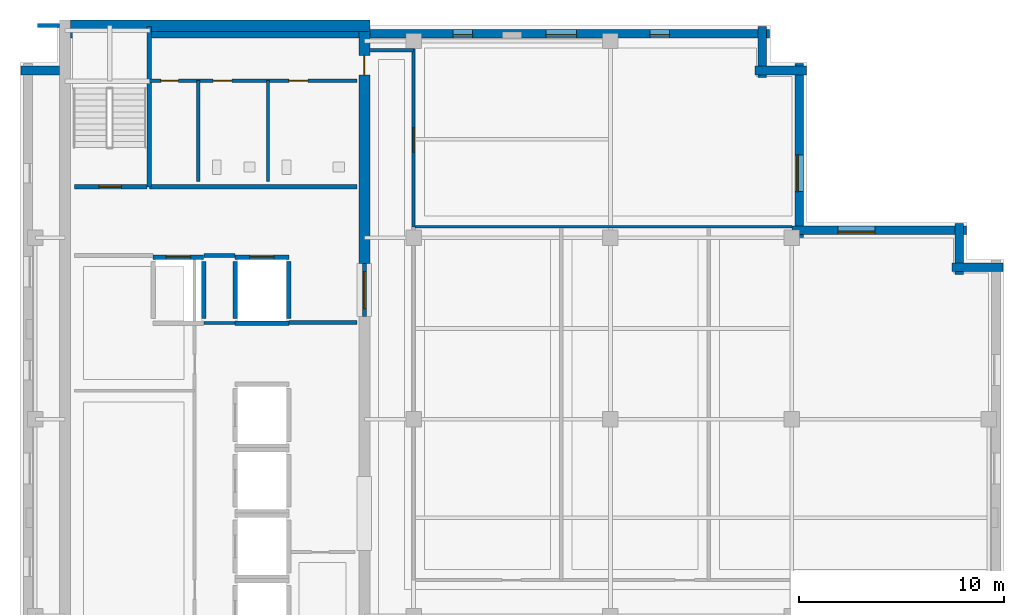
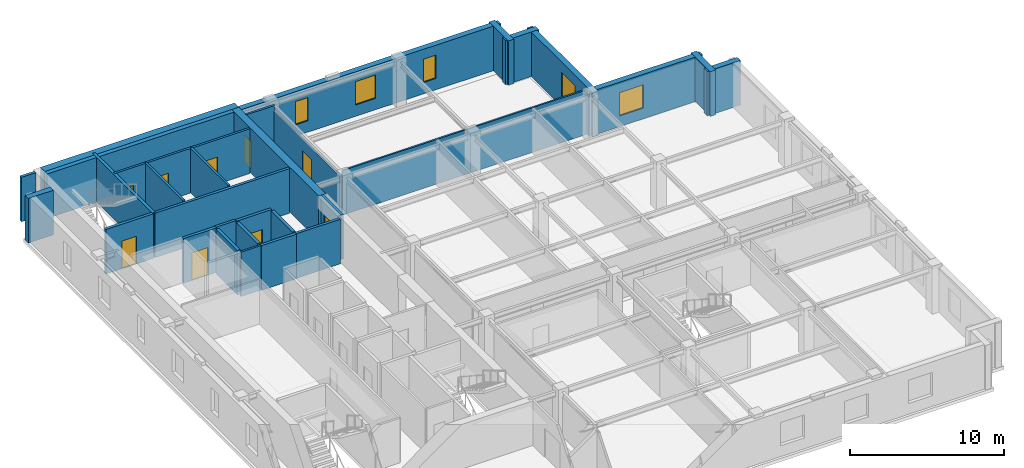
# One storey, part 5 of 10: 30 walls, 9 doors, 5 windows, 14 openings.
"""IFC4 building model written with IfcOpenShell, lengths in metres."""

from ifc_helpers import new_model, si_unit, direction, frame, frame_2d, origin, place, context, subcontext, project, spatial, rectangle, extrude, material, layer, layer_set, type_object, element, fill, save


model = new_model("IFC4")

# Units and contexts
model_context = context("Model", 3, precision=1e-05, world=origin(), true_north=direction((0.0, 1.0)))
body_context = subcontext(model_context, "Body", "Model", "MODEL_VIEW")
ifc_project = project(units=[si_unit("LENGTHUNIT", "METRE"), si_unit("AREAUNIT", "SQUARE_METRE"), si_unit("VOLUMEUNIT", "CUBIC_METRE"), si_unit("PLANEANGLEUNIT", "RADIAN"), si_unit("MASSUNIT", "GRAM", prefix="KILO")], contexts=[model_context])

# Site, building, storey
site_placement = place(None, origin())
site = spatial("IfcSite", under=ifc_project, at=site_placement, CompositionType="ELEMENT")
building_placement = place(site_placement, origin())
building = spatial("IfcBuilding", under=site, at=building_placement, Name="Norrvale University Quadrangle", CompositionType="ELEMENT")
storey_placement = place(building_placement, frame((0.0, 0.0, 269.60009765625)))
storey = spatial("IfcBuildingStorey", under=building, at=storey_placement, Name="L68", CompositionType="ELEMENT", Elevation=269.60009765625)

# Walls
ifc_material_1 = material(Name="Buff Norman Clay Brick Masonry", Category="masonry")
ifc_layer_1 = layer(ifc_material_1, 0.419921875, Name="Buff Norman Clay Brick Masonry")
ifc_layer_set_1 = layer_set([ifc_layer_1], Name="Buff Norman Clay Brick Masonry")
wall_type_1 = type_object("IfcWallType", Name="Wall Buff Brick 420", PredefinedType="SOLIDWALL", material=ifc_layer_set_1)
for number, where, z_axis, x_axis, name in (
    (1, (47.9599609375, 36.2099609375, 0.0), (0.0, 0.0, 1.0), (-1.0, 0.0, 0.0), "Exterior Brick Facade Wall L68-05.1"),
    (2, (45.81005859375, 35.860107421875, 0.0), (0.0, 0.0, 1.0), (0.0, 1.0, 0.0), "Exterior Brick Facade Wall L68-06.1"),
):
    element("IfcWall", number, at=place(storey_placement, frame(where, z_axis=z_axis, x_axis=x_axis)), inside=storey, type_object=wall_type_1, Name=name, PredefinedType="SOLIDWALL", context=body_context, shape_type="SweptSolid", body=[
        extrude(rectangle(XDim=2.5, YDim=0.419921875, at=frame_2d((1.25, 0.0))), origin(), (0.0, 0.0, 1.0), 3.539794921875),
    ])

# Wall, opening, window
wall_1_placement = place(storey_placement, frame((46.159912109375, 38.010009765625, 0.0), z_axis=(0.0, 0.0, 1.0), x_axis=(-1.0, 0.0, 0.0)))
wall_1 = element("IfcWall", 3, at=wall_1_placement, inside=storey, type_object=wall_type_1, Name="Exterior Brick Facade Wall L68-07.1", PredefinedType="SOLIDWALL", context=body_context, shape_type="SweptSolid", body=[
    extrude(rectangle(XDim=8.5, YDim=0.419921875, at=frame_2d((4.25, 0.0))), origin(), (0.0, 0.0, 1.0), 3.539794921875),
])
opening_1_placement = place(wall_1_placement, frame((4.4599609375, 0.0, 0.85009765625)))
opening_1 = element("IfcOpeningElement", 4, at=opening_1_placement, cuts=wall_1, Name="Opening W01", PredefinedType="OPENING", context=body_context, shape_type="SweptSolid", body=[
    extrude(rectangle(XDim=1.800048828125, YDim=1.85009765625, at=frame_2d((0.89990234375, 0.925048828125))), frame((0.0, 0.221923828125, 0.0), z_axis=(0.0, -1.0, 0.0), x_axis=(1.0, 0.0, 0.0)), (0.0, 0.0, 1.0), 0.44384765625),
])
ifc_material_2 = material(Name="Triple Low-E Argon Glazing", Category="glass")
window_type_1 = type_object("IfcWindowType", Name="Window Academic 1800x2300", PartitioningType="DOUBLE_PANEL_VERTICAL", PredefinedType="WINDOW", material=ifc_material_2)
window_1_placement = place(opening_1_placement, origin())
window_1 = element("IfcWindow", 5, at=window_1_placement, inside=storey, type_object=window_type_1, Name="Window Academic 1800x2300 WIN-L68-E07-1-01", OverallHeight=1.85009765625, OverallWidth=1.800048828125, PartitioningType="DOUBLE_PANEL_VERTICAL", PredefinedType="WINDOW", context=body_context, shape_type="SweptSolid", body=[
    extrude(rectangle(XDim=1.800048828125, YDim=1.85009765625, at=frame_2d((0.89990234375, 0.925048828125))), frame((0.0, 0.110107421875, 0.0), z_axis=(0.0, -1.0, 0.0), x_axis=(1.0, 0.0, 0.0)), (0.0, 0.0, 1.0), 0.06005859375),
])
fill(opening_1, window_1)

wall_2_placement = place(storey_placement, frame((38.010009765625, 37.659912109375, 0.0), z_axis=(0.0, 0.0, 1.0), x_axis=(0.0, 1.0, 0.0)))
wall_2 = element("IfcWall", 6, at=wall_2_placement, inside=storey, type_object=wall_type_1, Name="Exterior Brick Facade Wall L68-08.1", PredefinedType="SOLIDWALL", context=body_context, shape_type="SweptSolid", body=[
    extrude(rectangle(XDim=8.5, YDim=0.419921875, at=frame_2d((4.25, 0.0))), origin(), (0.0, 0.0, 1.0), 3.539794921875),
])
opening_2_placement = place(wall_2_placement, frame((2.239990234375, 0.0, 0.85009765625)))
opening_2 = element("IfcOpeningElement", 7, at=opening_2_placement, cuts=wall_2, Name="Opening W01", PredefinedType="OPENING", context=body_context, shape_type="SweptSolid", body=[
    extrude(rectangle(XDim=1.800048828125, YDim=1.85009765625, at=frame_2d((0.89990234375, 0.925048828125))), frame((0.0, 0.221923828125, 0.0), z_axis=(0.0, -1.0, 0.0), x_axis=(1.0, 0.0, 0.0)), (0.0, 0.0, 1.0), 0.44384765625),
])
window_2_placement = place(opening_2_placement, origin())
window_2 = element("IfcWindow", 8, at=window_2_placement, inside=storey, type_object=window_type_1, Name="Window Academic 1800x2300 WIN-L68-E08-1-01", OverallHeight=1.85009765625, OverallWidth=1.800048828125, PartitioningType="DOUBLE_PANEL_VERTICAL", PredefinedType="WINDOW", context=body_context, shape_type="SweptSolid", body=[
    extrude(rectangle(XDim=1.800048828125, YDim=1.85009765625, at=frame_2d((0.89990234375, 0.925048828125))), frame((0.0, 0.110107421875, 0.0), z_axis=(0.0, -1.0, 0.0), x_axis=(1.0, 0.0, 0.0)), (0.0, 0.0, 1.0), 0.06005859375),
])
fill(opening_2, window_2)

# Walls
for number, where, z_axis, x_axis, name in (
    (9, (38.360107421875, 45.81005859375, 0.0), (0.0, 0.0, 1.0), (-1.0, 0.0, 0.0), "Exterior Brick Facade Wall L68-09.1"),
    (10, (36.2099609375, 45.4599609375, 0.0), (0.0, 0.0, 1.0), (0.0, 1.0, 0.0), "Exterior Brick Facade Wall L68-10.1"),
):
    element("IfcWall", number, at=place(storey_placement, frame(where, z_axis=z_axis, x_axis=x_axis)), inside=storey, type_object=wall_type_1, Name=name, PredefinedType="SOLIDWALL", context=body_context, shape_type="SweptSolid", body=[
        extrude(rectangle(XDim=2.5, YDim=0.419921875, at=frame_2d((1.25, 0.0))), origin(), (0.0, 0.0, 1.0), 3.539794921875),
    ])

# Wall, openings, windows
wall_3_placement = place(storey_placement, frame((36.56005859375, 47.610107421875, 0.0), z_axis=(0.0, 0.0, 1.0), x_axis=(-1.0, 0.0, 0.0)))
wall_3 = element("IfcWall", 11, at=wall_3_placement, inside=storey, type_object=wall_type_1, Name="Exterior Brick Facade Wall L68-11.1", PredefinedType="SOLIDWALL", context=body_context, shape_type="SweptSolid", body=[
    extrude(rectangle(XDim=34.0849609375, YDim=0.419921875, at=frame_2d((17.04248046875, 0.0))), origin(), (0.0, 0.0, 1.0), 3.539794921875),
])
opening_3_placement = place(wall_3_placement, frame((4.885009765625, 0.0, 0.89990234375)))
opening_3 = element("IfcOpeningElement", 12, at=opening_3_placement, cuts=wall_3, Name="Opening W04", PredefinedType="OPENING", context=body_context, shape_type="SweptSolid", body=[
    extrude(rectangle(XDim=0.949951171875, YDim=1.85009765625, at=frame_2d((0.47509765625, 0.925048828125))), frame((0.0, 0.221923828125, 0.0), z_axis=(0.0, -1.0, 0.0), x_axis=(1.0, 0.0, 0.0)), (0.0, 0.0, 1.0), 0.44384765625),
])
opening_4_placement = place(wall_3_placement, frame((9.409912109375, 0.0, 0.89990234375)))
opening_4 = element("IfcOpeningElement", 13, at=opening_4_placement, cuts=wall_3, Name="Opening W03", PredefinedType="OPENING", context=body_context, shape_type="SweptSolid", body=[
    extrude(rectangle(XDim=1.5, YDim=1.85009765625, at=frame_2d((0.75, 0.925048828125))), frame((0.0, 0.221923828125, 0.0), z_axis=(0.0, -1.0, 0.0), x_axis=(1.0, 0.0, 0.0)), (0.0, 0.0, 1.0), 0.44384765625),
])
opening_5_placement = place(wall_3_placement, frame((14.485107421875, 0.0, 0.89990234375)))
opening_5 = element("IfcOpeningElement", 14, at=opening_5_placement, cuts=wall_3, Name="Opening W04", PredefinedType="OPENING", context=body_context, shape_type="SweptSolid", body=[
    extrude(rectangle(XDim=0.949951171875, YDim=1.85009765625, at=frame_2d((0.47509765625, 0.925048828125))), frame((0.0, 0.221923828125, 0.0), z_axis=(0.0, -1.0, 0.0), x_axis=(1.0, 0.0, 0.0)), (0.0, 0.0, 1.0), 0.44384765625),
])
window_type_2 = type_object("IfcWindowType", Name="Window Narrow Pier 950x2300", PartitioningType="SINGLE_PANEL", PredefinedType="WINDOW", material=ifc_material_2)
window_3_placement = place(opening_3_placement, origin())
window_3 = element("IfcWindow", 15, at=window_3_placement, inside=storey, type_object=window_type_2, Name="Window Narrow Pier 950x2300 WIN-L68-E11-1-01", OverallHeight=1.85009765625, OverallWidth=0.949951171875, PartitioningType="SINGLE_PANEL", PredefinedType="WINDOW", context=body_context, shape_type="SweptSolid", body=[
    extrude(rectangle(XDim=0.949951171875, YDim=1.85009765625, at=frame_2d((0.47509765625, 0.925048828125))), frame((0.0, 0.110107421875, 0.0), z_axis=(0.0, -1.0, 0.0), x_axis=(1.0, 0.0, 0.0)), (0.0, 0.0, 1.0), 0.06005859375),
])
fill(opening_3, window_3)
window_4_placement = place(opening_5_placement, origin())
window_4 = element("IfcWindow", 16, at=window_4_placement, inside=storey, type_object=window_type_2, Name="Window Narrow Pier 950x2300 WIN-L68-E11-1-03", OverallHeight=1.85009765625, OverallWidth=0.949951171875, PartitioningType="SINGLE_PANEL", PredefinedType="WINDOW", context=body_context, shape_type="SweptSolid", body=[
    extrude(rectangle(XDim=0.949951171875, YDim=1.85009765625, at=frame_2d((0.47509765625, 0.925048828125))), frame((0.0, 0.110107421875, 0.0), z_axis=(0.0, -1.0, 0.0), x_axis=(1.0, 0.0, 0.0)), (0.0, 0.0, 1.0), 0.06005859375),
])
fill(opening_5, window_4)
window_type_3 = type_object("IfcWindowType", Name="Window Studio 1500x2300", PartitioningType="DOUBLE_PANEL_VERTICAL", PredefinedType="WINDOW", material=ifc_material_2)
window_5_placement = place(opening_4_placement, origin())
window_5 = element("IfcWindow", 17, at=window_5_placement, inside=storey, type_object=window_type_3, Name="Window Studio 1500x2300 WIN-L68-E11-1-02", OverallHeight=1.85009765625, OverallWidth=1.5, PartitioningType="DOUBLE_PANEL_VERTICAL", PredefinedType="WINDOW", context=body_context, shape_type="SweptSolid", body=[
    extrude(rectangle(XDim=1.5, YDim=1.85009765625, at=frame_2d((0.75, 0.925048828125))), frame((0.0, 0.110107421875, 0.0), z_axis=(0.0, -1.0, 0.0), x_axis=(1.0, 0.0, 0.0)), (0.0, 0.0, 1.0), 0.06005859375),
])
fill(opening_4, window_5)

# Walls
wall_4_placement = place(storey_placement, frame((1.925048828125, 45.81005859375, 0.0), z_axis=(0.0, 0.0, 1.0), x_axis=(-1.0, 0.0, 0.0)))
element("IfcWall", 18, at=wall_4_placement, inside=storey, type_object=wall_type_1, Name="Exterior Brick Facade Wall L68-13.1", PredefinedType="SOLIDWALL", context=body_context, shape_type="SweptSolid", body=[
    extrude(rectangle(XDim=1.885009765625, YDim=0.419921875, at=frame_2d((0.9423828125, 0.0))), origin(), (0.0, 0.0, 1.0), 3.539794921875),
])
ifc_material_3 = material(Name="Concrete C60/75", Category="concrete")
ifc_layer_2 = layer(ifc_material_3, 0.550048828125, Name="Concrete C60/75")
ifc_layer_set_2 = layer_set([ifc_layer_2], Name="Concrete C60/75")
wall_type_2 = type_object("IfcWallType", Name="Wall Core 550", PredefinedType="SHEAR", material=ifc_layer_set_2)
wall_5_placement = place(storey_placement, frame((2.47509765625, 48.0, 0.0), z_axis=(0.0, 0.0, 1.0), x_axis=(1.0, 0.0, 0.0)))
element("IfcWall", 19, at=wall_5_placement, inside=storey, type_object=wall_type_2, Name="Tower Core Shear Wall L68-N", PredefinedType="SHEAR", context=body_context, shape_type="SweptSolid", body=[
    extrude(rectangle(XDim=14.599853515625, YDim=0.550048828125, at=frame_2d((7.2998046875, 0.0))), origin(), (0.0, 0.0, 1.0), 3.539794921875),
])

# Wall, opening, door
wall_6_placement = place(storey_placement, frame((16.800048828125, 36.39990234375, 0.0), z_axis=(0.0, 0.0, 1.0), x_axis=(0.0, 1.0, 0.0)))
wall_6 = element("IfcWall", 20, at=wall_6_placement, inside=storey, type_object=wall_type_2, Name="Tower Core Shear Wall L68-E3", PredefinedType="SHEAR", context=body_context, shape_type="SweptSolid", body=[
    extrude(rectangle(XDim=11.3251953125, YDim=0.550048828125, at=frame_2d((5.66259765625, 0.0))), origin(), (0.0, 0.0, 1.0), 3.539794921875),
])
opening_6_placement = place(wall_6_placement, frame((9.199951171875, 0.0, 0.0)))
opening_6 = element("IfcOpeningElement", 21, at=opening_6_placement, cuts=wall_6, Name="Opening D07", PredefinedType="OPENING", context=body_context, shape_type="SweptSolid", body=[
    extrude(rectangle(XDim=0.949951171875, YDim=2.14990234375, at=frame_2d((0.47509765625, 1.074951171875))), frame((0.0, 0.287109375, 0.0), z_axis=(0.0, -1.0, 0.0), x_axis=(1.0, 0.0, 0.0)), (0.0, 0.0, 1.0), 0.573974609375),
])
ifc_material_4 = material(Name="Solid-Core Maple Door", Category="wood")
door_type_1 = type_object("IfcDoorType", Name="Door Office 950x2150", OperationType="NOTDEFINED", PredefinedType="DOOR", material=ifc_material_4)
door_1_placement = place(opening_6_placement, origin())
door_1 = element("IfcDoor", 22, at=door_1_placement, inside=storey, type_object=door_type_1, Name="Door Office 950x2150 DR-L68-NECORR", OperationType="SINGLE_SWING_LEFT", OverallHeight=2.14990234375, OverallWidth=0.949951171875, PredefinedType="DOOR", context=body_context, shape_type="SweptSolid", body=[
    extrude(rectangle(XDim=0.949951171875, YDim=2.14990234375, at=frame_2d((0.47509765625, 1.074951171875))), frame((0.0, 0.02490234375, 0.0), z_axis=(0.0, -1.0, 0.0), x_axis=(1.0, 0.0, 0.0)), (0.0, 0.0, 1.0), 0.050048828125),
])
fill(opening_6, door_1)

# Walls
ifc_material_5 = material(Name="Standard Academic Gypsum Partition")
ifc_layer_3 = layer(ifc_material_5, 0.125, Name="Standard Academic Gypsum Partition")
ifc_layer_set_3 = layer_set([ifc_layer_3], Name="Standard Academic Gypsum Partition")
wall_type_3 = type_object("IfcWallType", Name="Wall Gypsum Academic 125", PredefinedType="PARTITIONING", material=ifc_layer_set_3)
wall_7_placement = place(storey_placement, frame((19.280029296875, 38.179931640625, 0.0), z_axis=(0.0, 0.0, 1.0), x_axis=(1.0, 0.0, 0.0)))
element("IfcWall", 23, at=wall_7_placement, inside=storey, type_object=wall_type_3, Name="Interior Partition WL-L68-ME-N", PredefinedType="PARTITIONING", context=body_context, shape_type="SweptSolid", body=[
    extrude(rectangle(XDim=18.369873046875, YDim=0.125, at=frame_2d((9.18505859375, 0.0))), origin(), (0.0, 0.0, 1.0), 3.539794921875),
])
ifc_material_6 = material(Name="Fire-Rated Gypsum Stud Partition")
ifc_layer_4 = layer(ifc_material_6, 0.14990234375, Name="Fire-Rated Gypsum Stud Partition")
ifc_layer_set_4 = layer_set([ifc_layer_4], Name="Fire-Rated Gypsum Stud Partition")
wall_type_4 = type_object("IfcWallType", Name="Wall Gypsum Corridor 150", PredefinedType="PARTITIONING", material=ifc_layer_set_4)
wall_8_placement = place(storey_placement, frame((8.965087890625, 33.489990234375, 0.0), z_axis=(0.0, 0.0, 1.0), x_axis=(1.0, 0.0, 0.0)))
element("IfcWall", 24, at=wall_8_placement, inside=storey, type_object=wall_type_4, Name="Interior Partition WL-L68-LL3", PredefinedType="PARTITIONING", context=body_context, shape_type="SweptSolid", body=[
    extrude(rectangle(XDim=1.52001953125, YDim=0.14990234375, at=frame_2d((0.760009765625, 0.0))), origin(), (0.0, 0.0, 1.0), 3.539794921875),
])
wall_9_placement = place(storey_placement, frame((17.050048828125, 46.800048828125, 0.0), z_axis=(0.0, 0.0, 1.0), x_axis=(1.0, 0.0, 0.0)))
element("IfcWall", 25, at=wall_9_placement, inside=storey, type_object=wall_type_4, Name="Interior Partition WL-L68-CSP-N", PredefinedType="PARTITIONING", context=body_context, shape_type="SweptSolid", body=[
    extrude(rectangle(XDim=2.14990234375, YDim=0.14990234375, at=frame_2d((1.074951171875, 0.0))), origin(), (0.0, 0.0, 1.0), 3.539794921875),
])

# Wall, opening, door
wall_10_placement = place(storey_placement, frame((19.199951171875, 38.179931640625, 0.0), z_axis=(0.0, 0.0, 1.0), x_axis=(0.0, 1.0, 0.0)))
wall_10 = element("IfcWall", 26, at=wall_10_placement, inside=storey, type_object=wall_type_4, Name="Interior Partition WL-L68-NECW", PredefinedType="PARTITIONING", context=body_context, shape_type="SweptSolid", body=[
    extrude(rectangle(XDim=9.27001953125, YDim=0.14990234375, at=frame_2d((4.635009765625, 0.0))), origin(), (0.0, 0.0, 1.0), 3.122802734375),
])
opening_7_placement = place(wall_10_placement, frame((3.64990234375, 0.0, 0.0)))
opening_7 = element("IfcOpeningElement", 27, at=opening_7_placement, cuts=wall_10, Name="Opening D05", PredefinedType="OPENING", context=body_context, shape_type="SweptSolid", body=[
    extrude(rectangle(XDim=1.199951171875, YDim=2.199951171875, at=frame_2d((0.60009765625, 1.10009765625))), frame((0.0, 0.0869140625, 0.0), z_axis=(0.0, -1.0, 0.0), x_axis=(1.0, 0.0, 0.0)), (0.0, 0.0, 1.0), 0.173828125),
])
ifc_material_7 = material(Name="Acoustic Oak Classroom Door", Category="wood")
door_type_2 = type_object("IfcDoorType", Name="Door Classroom 1200x2200", OperationType="NOTDEFINED", PredefinedType="DOOR", material=ifc_material_7)
door_2_placement = place(opening_7_placement, origin())
door_2 = element("IfcDoor", 28, at=door_2_placement, inside=storey, type_object=door_type_2, Name="Door Classroom 1200x2200 DR-L68-NE01", OperationType="SINGLE_SWING_RIGHT", OverallHeight=2.199951171875, OverallWidth=1.199951171875, PredefinedType="DOOR", context=body_context, shape_type="SweptSolid", body=[
    extrude(rectangle(XDim=1.199951171875, YDim=2.199951171875, at=frame_2d((0.60009765625, 1.10009765625))), frame((0.0, 0.02490234375, 0.0), z_axis=(0.0, -1.0, 0.0), x_axis=(1.0, 0.0, 0.0)), (0.0, 0.0, 1.0), 0.050048828125),
])
fill(opening_7, door_2)

# Wall, openings, doors
ifc_material_8 = material(Name="Sanitary Chase Gypsum Partition")
ifc_layer_5 = layer(ifc_material_8, 0.1650390625, Name="Sanitary Chase Gypsum Partition")
ifc_layer_set_5 = layer_set([ifc_layer_5], Name="Sanitary Chase Gypsum Partition")
wall_type_5 = type_object("IfcWallType", Name="Wall Gypsum Sanitary 165", PredefinedType="PLUMBINGWALL", material=ifc_layer_set_5)
wall_11_placement = place(storey_placement, frame((6.320068359375, 45.320068359375, 0.0), z_axis=(0.0, 0.0, 1.0), x_axis=(1.0, 0.0, 0.0)))
wall_11 = element("IfcWall", 29, at=wall_11_placement, inside=storey, type_object=wall_type_5, Name="Interior Partition WL-L68-WCN", PredefinedType="PLUMBINGWALL", context=body_context, shape_type="SweptSolid", body=[
    extrude(rectangle(XDim=10.1298828125, YDim=0.1650390625, at=frame_2d((5.06494140625, 0.0))), origin(), (0.0, 0.0, 1.0), 3.539794921875),
])
opening_8_placement = place(wall_11_placement, frame((0.550048828125, 0.0, 0.0)))
opening_8 = element("IfcOpeningElement", 30, at=opening_8_placement, cuts=wall_11, Name="Opening D10", PredefinedType="OPENING", context=body_context, shape_type="SweptSolid", body=[
    extrude(rectangle(XDim=0.85009765625, YDim=2.10009765625, at=frame_2d((0.425048828125, 1.050048828125))), frame((0.0, 0.094482421875, 0.0), z_axis=(0.0, -1.0, 0.0), x_axis=(1.0, 0.0, 0.0)), (0.0, 0.0, 1.0), 0.18896484375),
])
opening_9_placement = place(wall_11_placement, frame((3.10009765625, 0.0, 0.0)))
opening_9 = element("IfcOpeningElement", 31, at=opening_9_placement, cuts=wall_11, Name="Opening D08", PredefinedType="OPENING", context=body_context, shape_type="SweptSolid", body=[
    extrude(rectangle(XDim=0.919921875, YDim=2.14990234375, at=frame_2d((0.4599609375, 1.074951171875))), frame((0.0, 0.094482421875, 0.0), z_axis=(0.0, -1.0, 0.0), x_axis=(1.0, 0.0, 0.0)), (0.0, 0.0, 1.0), 0.18896484375),
])
opening_10_placement = place(wall_11_placement, frame((6.800048828125, 0.0, 0.0)))
opening_10 = element("IfcOpeningElement", 32, at=opening_10_placement, cuts=wall_11, Name="Opening D08", PredefinedType="OPENING", context=body_context, shape_type="SweptSolid", body=[
    extrude(rectangle(XDim=0.919921875, YDim=2.14990234375, at=frame_2d((0.4599609375, 1.074951171875))), frame((0.0, 0.094482421875, 0.0), z_axis=(0.0, -1.0, 0.0), x_axis=(1.0, 0.0, 0.0)), (0.0, 0.0, 1.0), 0.18896484375),
])
ifc_material_9 = material(Name="Hollow Steel 350W Riser Fire Door", Category="steel")
door_type_3 = type_object("IfcDoorType", Name="Door Riser 850x2100", OperationType="NOTDEFINED", PredefinedType="DOOR", material=ifc_material_9)
door_3_placement = place(opening_8_placement, origin())
door_3 = element("IfcDoor", 33, at=door_3_placement, inside=storey, type_object=door_type_3, Name="Door Riser 850x2100 DR-L68-WC1", OperationType="SINGLE_SWING_LEFT", OverallHeight=2.10009765625, OverallWidth=0.85009765625, PredefinedType="DOOR", context=body_context, shape_type="SweptSolid", body=[
    extrude(rectangle(XDim=0.85009765625, YDim=2.10009765625, at=frame_2d((0.425048828125, 1.050048828125))), frame((0.0, 0.02490234375, 0.0), z_axis=(0.0, -1.0, 0.0), x_axis=(1.0, 0.0, 0.0)), (0.0, 0.0, 1.0), 0.050048828125),
])
fill(opening_8, door_3)
ifc_material_10 = material(Name="Laminate Washroom Door", Category="wood")
door_type_4 = type_object("IfcDoorType", Name="Door Washroom 920x2150", OperationType="NOTDEFINED", PredefinedType="DOOR", material=ifc_material_10)
door_4_placement = place(opening_9_placement, origin())
door_4 = element("IfcDoor", 34, at=door_4_placement, inside=storey, type_object=door_type_4, Name="Door Washroom 920x2150 DR-L68-WC2", OperationType="SINGLE_SWING_RIGHT", OverallHeight=2.14990234375, OverallWidth=0.919921875, PredefinedType="DOOR", context=body_context, shape_type="SweptSolid", body=[
    extrude(rectangle(XDim=0.919921875, YDim=2.14990234375, at=frame_2d((0.4599609375, 1.074951171875))), frame((0.0, 0.02490234375, 0.0), z_axis=(0.0, -1.0, 0.0), x_axis=(1.0, 0.0, 0.0)), (0.0, 0.0, 1.0), 0.050048828125),
])
fill(opening_9, door_4)
door_5_placement = place(opening_10_placement, origin())
door_5 = element("IfcDoor", 35, at=door_5_placement, inside=storey, type_object=door_type_4, Name="Door Washroom 920x2150 DR-L68-WC3", OperationType="SINGLE_SWING_LEFT", OverallHeight=2.14990234375, OverallWidth=0.919921875, PredefinedType="DOOR", context=body_context, shape_type="SweptSolid", body=[
    extrude(rectangle(XDim=0.919921875, YDim=2.14990234375, at=frame_2d((0.4599609375, 1.074951171875))), frame((0.0, 0.02490234375, 0.0), z_axis=(0.0, -1.0, 0.0), x_axis=(1.0, 0.0, 0.0)), (0.0, 0.0, 1.0), 0.050048828125),
])
fill(opening_10, door_5)

# Walls
for number, where, z_axis, x_axis, name in (
    (36, (8.699951171875, 40.39990234375, 0.0), (0.0, 0.0, 1.0), (0.0, 1.0, 0.0), "Interior Partition WL-L68-WCM1"),
    (37, (12.10009765625, 40.39990234375, 0.0), (0.0, 0.0, 1.0), (0.0, 1.0, 0.0), "Interior Partition WL-L68-WCM2"),
):
    element("IfcWall", number, at=place(storey_placement, frame(where, z_axis=z_axis, x_axis=x_axis)), inside=storey, type_object=wall_type_5, Name=name, PredefinedType="PLUMBINGWALL", context=body_context, shape_type="SweptSolid", body=[
        extrude(rectangle(XDim=4.920166015625, YDim=0.1650390625, at=frame_2d((2.4599609375, 0.0))), origin(), (0.0, 0.0, 1.0), 3.539794921875),
    ])
ifc_material_11 = material(Name="Concrete Blockwork 20 MPa Rated Wall", Category="masonry")
ifc_layer_6 = layer(ifc_material_11, 0.199951171875, Name="Concrete Blockwork 20 MPa Rated Wall")
ifc_layer_set_6 = layer_set([ifc_layer_6], Name="Concrete Blockwork 20 MPa Rated Wall")
wall_type_6 = type_object("IfcWallType", Name="Wall Lobby 200", PredefinedType="SOLIDWALL", material=ifc_layer_set_6)
wall_12_placement = place(storey_placement, frame((8.969970703125, 36.780029296875, 0.0), z_axis=(0.0, 0.0, 1.0), x_axis=(1.0, 0.0, 0.0)))
element("IfcWall", 38, at=wall_12_placement, inside=storey, type_object=wall_type_6, Name="Interior Partition WL-L68-FF2", PredefinedType="SOLIDWALL", context=body_context, shape_type="SweptSolid", body=[
    extrude(rectangle(XDim=1.510009765625, YDim=0.199951171875, at=frame_2d((0.7548828125, 0.0))), origin(), (0.0, 0.0, 1.0), 3.539794921875),
])
wall_13_placement = place(storey_placement, frame((13.1201171875, 33.52001953125, 0.0), z_axis=(0.0, 0.0, 1.0), x_axis=(1.0, 0.0, 0.0)))
element("IfcWall", 39, at=wall_13_placement, inside=storey, type_object=wall_type_6, Name="Interior Partition WL-L68-FF3", PredefinedType="SOLIDWALL", context=body_context, shape_type="SweptSolid", body=[
    extrude(rectangle(XDim=3.329833984375, YDim=0.199951171875, at=frame_2d((1.6650390625, 0.0))), origin(), (0.0, 0.0, 1.0), 3.539794921875),
])
wall_14_placement = place(storey_placement, frame((6.320068359375, 40.139892578125, 0.0), z_axis=(0.0, 0.0, 1.0), x_axis=(1.0, 0.0, 0.0)))
element("IfcWall", 40, at=wall_14_placement, inside=storey, type_object=wall_type_6, Name="Interior Partition WL-L68-FF4", PredefinedType="SOLIDWALL", context=body_context, shape_type="SweptSolid", body=[
    extrude(rectangle(XDim=10.1298828125, YDim=0.199951171875, at=frame_2d((5.06494140625, 0.0))), origin(), (0.0, 0.0, 1.0), 3.539794921875),
])

# Wall, opening, door
wall_15_placement = place(storey_placement, frame((16.800048828125, 33.800048828125, 0.0), z_axis=(0.0, 0.0, 1.0), x_axis=(0.0, 1.0, 0.0)))
wall_15 = element("IfcWall", 41, at=wall_15_placement, inside=storey, type_object=wall_type_6, Name="Interior Partition WL-L68-FFP", PredefinedType="SOLIDWALL", context=body_context, shape_type="SweptSolid", body=[
    extrude(rectangle(XDim=2.599853515625, YDim=0.199951171875, at=frame_2d((1.2998046875, 0.0))), origin(), (0.0, 0.0, 1.0), 3.539794921875),
])
opening_11_placement = place(wall_15_placement, frame((0.39990234375, 0.0, 0.0)))
opening_11 = element("IfcOpeningElement", 42, at=opening_11_placement, cuts=wall_15, Name="Opening D03", PredefinedType="OPENING", context=body_context, shape_type="SweptSolid", body=[
    extrude(rectangle(XDim=1.800048828125, YDim=2.199951171875, at=frame_2d((0.89990234375, 1.10009765625))), frame((0.0, 0.112060546875, 0.0), z_axis=(0.0, -1.0, 0.0), x_axis=(1.0, 0.0, 0.0)), (0.0, 0.0, 1.0), 0.223876953125),
])
ifc_material_12 = material(Name="Hollow Steel 350W Fire Door", Category="steel")
door_type_5 = type_object("IfcDoorType", Name="Door Fire Lobby 1800x2200", OperationType="DOUBLE_DOOR_SINGLE_SWING", PredefinedType="DOOR", material=ifc_material_12)
door_6_placement = place(opening_11_placement, origin())
door_6 = element("IfcDoor", 43, at=door_6_placement, inside=storey, type_object=door_type_5, Name="Door Fire Lobby 1800x2200 DR-L68-FFP", OperationType="DOUBLE_DOOR_SINGLE_SWING", OverallHeight=2.199951171875, OverallWidth=1.800048828125, PredefinedType="DOOR", context=body_context, shape_type="SweptSolid", body=[
    extrude(rectangle(XDim=1.800048828125, YDim=2.199951171875, at=frame_2d((0.89990234375, 1.10009765625))), frame((0.0, 0.02490234375, 0.0), z_axis=(0.0, -1.0, 0.0), x_axis=(1.0, 0.0, 0.0)), (0.0, 0.0, 1.0), 0.050048828125),
])
fill(opening_11, door_6)

# Wall
wall_16_placement = place(storey_placement, frame((0.85009765625, 48.0, 0.0), z_axis=(0.0, 0.0, 1.0), x_axis=(1.0, 0.0, 0.0)))
element("IfcWall", 44, at=wall_16_placement, inside=storey, type_object=wall_type_6, Name="Interior Partition WL-L68-CWRET-N", PredefinedType="SOLIDWALL", context=body_context, shape_type="SweptSolid", body=[
    extrude(rectangle(XDim=1.06982421875, YDim=0.199951171875, at=frame_2d((0.534912109375, 0.0))), origin(), (0.0, 0.0, 1.0), 3.539794921875),
])

# Wall, opening, door
ifc_material_13 = material(Name="Concrete Blockwork 20 MPa Fire Shaft", Category="masonry")
ifc_layer_7 = layer(ifc_material_13, 0.219970703125, Name="Concrete Blockwork 20 MPa Fire Shaft")
ifc_layer_set_7 = layer_set([ifc_layer_7], Name="Concrete Blockwork 20 MPa Fire Shaft")
wall_type_7 = type_object("IfcWallType", Name="Wall Shaft 220", PredefinedType="SOLIDWALL", material=ifc_layer_set_7)
wall_17_placement = place(storey_placement, frame((2.64990234375, 40.139892578125, 0.0), z_axis=(0.0, 0.0, 1.0), x_axis=(1.0, 0.0, 0.0)))
wall_17 = element("IfcWall", 45, at=wall_17_placement, inside=storey, type_object=wall_type_7, Name="Stair ST-02 South Shaft Wall L68", PredefinedType="SOLIDWALL", context=body_context, shape_type="SweptSolid", body=[
    extrude(rectangle(XDim=3.550048828125, YDim=0.219970703125, at=frame_2d((1.77490234375, 0.0))), origin(), (0.0, 0.0, 1.0), 3.539794921875),
])
opening_12_placement = place(wall_17_placement, frame((1.199951171875, 0.0, 0.0)))
opening_12 = element("IfcOpeningElement", 46, at=opening_12_placement, cuts=wall_17, Name="Opening D02", PredefinedType="OPENING", context=body_context, shape_type="SweptSolid", body=[
    extrude(rectangle(XDim=1.10009765625, YDim=2.199951171875, at=frame_2d((0.550048828125, 1.10009765625))), frame((0.0, 0.1220703125, 0.0), z_axis=(0.0, -1.0, 0.0), x_axis=(1.0, 0.0, 0.0)), (0.0, 0.0, 1.0), 0.243896484375),
])
door_type_6 = type_object("IfcDoorType", Name="Door Stair Exit 1100x2200", OperationType="NOTDEFINED", PredefinedType="DOOR", material=ifc_material_12)
door_7_placement = place(opening_12_placement, origin())
door_7 = element("IfcDoor", 47, at=door_7_placement, inside=storey, type_object=door_type_6, Name="Door Stair Exit 1100x2200 DR-L68-ST02", OperationType="SINGLE_SWING_LEFT", OverallHeight=2.199951171875, OverallWidth=1.10009765625, PredefinedType="DOOR", context=body_context, shape_type="SweptSolid", body=[
    extrude(rectangle(XDim=1.10009765625, YDim=2.199951171875, at=frame_2d((0.550048828125, 1.10009765625))), frame((0.0, 0.02490234375, 0.0), z_axis=(0.0, -1.0, 0.0), x_axis=(1.0, 0.0, 0.0)), (0.0, 0.0, 1.0), 0.050048828125),
])
fill(opening_12, door_7)

# Walls
wall_18_placement = place(storey_placement, frame((6.31005859375, 40.139892578125, 0.0), z_axis=(0.0, 0.0, 1.0), x_axis=(0.0, 1.0, 0.0)))
element("IfcWall", 48, at=wall_18_placement, inside=storey, type_object=wall_type_7, Name="Stair ST-02 East Shaft Wall L68", PredefinedType="SOLIDWALL", context=body_context, shape_type="SweptSolid", body=[
    extrude(rectangle(XDim=7.81005859375, YDim=0.219970703125, at=frame_2d((3.905029296875, 0.0))), origin(), (0.0, 0.0, 1.0), 3.539794921875),
])
wall_19_placement = place(storey_placement, frame((8.9599609375, 33.7099609375, 0.0), z_axis=(0.0, 0.0, 1.0), x_axis=(0.0, 1.0, 0.0)))
element("IfcWall", 49, at=wall_19_placement, inside=storey, type_object=wall_type_7, Name="Hoistway FFL-01 East Wall L68", PredefinedType="SOLIDWALL", context=body_context, shape_type="SweptSolid", body=[
    extrude(rectangle(XDim=2.780029296875, YDim=0.219970703125, at=frame_2d((1.39013671875, 0.0))), origin(), (0.0, 0.0, 1.0), 3.539794921875),
])

# Wall, opening, door
wall_20_placement = place(storey_placement, frame((6.489990234375, 36.7099609375, 0.0), z_axis=(0.0, 0.0, 1.0), x_axis=(1.0, 0.0, 0.0)))
wall_20 = element("IfcWall", 50, at=wall_20_placement, inside=storey, type_object=wall_type_7, Name="Hoistway FFL-01 North Wall L68", PredefinedType="SOLIDWALL", context=body_context, shape_type="SweptSolid", body=[
    extrude(rectangle(XDim=2.469970703125, YDim=0.219970703125, at=frame_2d((1.23486328125, 0.0))), origin(), (0.0, 0.0, 1.0), 3.539794921875),
])
opening_13_placement = place(wall_20_placement, frame((0.635009765625, 0.0, 0.0)))
opening_13 = element("IfcOpeningElement", 51, at=opening_13_placement, cuts=wall_20, Name="Opening LD2", PredefinedType="OPENING", context=body_context, shape_type="SweptSolid", body=[
    extrude(rectangle(XDim=1.199951171875, YDim=2.199951171875, at=frame_2d((0.60009765625, 1.10009765625))), frame((0.0, 0.1220703125, 0.0), z_axis=(0.0, -1.0, 0.0), x_axis=(1.0, 0.0, 0.0)), (0.0, 0.0, 1.0), 0.243896484375),
])
ifc_material_14 = material(Name="Stainless Steel 316L Firefighter Lift Door", Category="steel")
door_type_7 = type_object("IfcDoorType", Name="Door Fire Lift 1200x2200", OperationType="DOUBLE_DOOR_SLIDING", PredefinedType="DOOR", material=ifc_material_14)
door_8_placement = place(opening_13_placement, origin())
door_8 = element("IfcDoor", 52, at=door_8_placement, inside=storey, type_object=door_type_7, Name="Elevator Landing Door DR-L68-FFL-01", OperationType="DOUBLE_DOOR_SLIDING", OverallHeight=2.199951171875, OverallWidth=1.199951171875, PredefinedType="DOOR", context=body_context, shape_type="SweptSolid", body=[
    extrude(rectangle(XDim=1.199951171875, YDim=2.199951171875, at=frame_2d((0.60009765625, 1.10009765625))), frame((0.0, 0.02490234375, 0.0), z_axis=(0.0, -1.0, 0.0), x_axis=(1.0, 0.0, 0.0)), (0.0, 0.0, 1.0), 0.050048828125),
])
fill(opening_13, door_8)

# Walls
for number, where, z_axis, x_axis, name in (
    (53, (10.489990234375, 33.7099609375, 0.0), (0.0, 0.0, 1.0), (0.0, 1.0, 0.0), "Hoistway FFL-02 West Wall L68"),
    (54, (13.110107421875, 33.7099609375, 0.0), (0.0, 0.0, 1.0), (0.0, 1.0, 0.0), "Hoistway FFL-02 East Wall L68"),
):
    element("IfcWall", number, at=place(storey_placement, frame(where, z_axis=z_axis, x_axis=x_axis)), inside=storey, type_object=wall_type_7, Name=name, PredefinedType="SOLIDWALL", context=body_context, shape_type="SweptSolid", body=[
        extrude(rectangle(XDim=2.780029296875, YDim=0.219970703125, at=frame_2d((1.39013671875, 0.0))), origin(), (0.0, 0.0, 1.0), 3.539794921875),
    ])
wall_21_placement = place(storey_placement, frame((10.489990234375, 33.489990234375, 0.0), z_axis=(0.0, 0.0, 1.0), x_axis=(1.0, 0.0, 0.0)))
element("IfcWall", 55, at=wall_21_placement, inside=storey, type_object=wall_type_7, Name="Hoistway FFL-02 South Wall L68", PredefinedType="SOLIDWALL", context=body_context, shape_type="SweptSolid", body=[
    extrude(rectangle(XDim=2.6201171875, YDim=0.219970703125, at=frame_2d((1.31005859375, 0.0))), origin(), (0.0, 0.0, 1.0), 3.539794921875),
])

# Wall, opening, door
wall_22_placement = place(storey_placement, frame((10.489990234375, 36.7099609375, 0.0), z_axis=(0.0, 0.0, 1.0), x_axis=(1.0, 0.0, 0.0)))
wall_22 = element("IfcWall", 56, at=wall_22_placement, inside=storey, type_object=wall_type_7, Name="Hoistway FFL-02 North Wall L68", PredefinedType="SOLIDWALL", context=body_context, shape_type="SweptSolid", body=[
    extrude(rectangle(XDim=2.6201171875, YDim=0.219970703125, at=frame_2d((1.31005859375, 0.0))), origin(), (0.0, 0.0, 1.0), 3.539794921875),
])
opening_14_placement = place(wall_22_placement, frame((0.7099609375, 0.0, 0.0)))
opening_14 = element("IfcOpeningElement", 57, at=opening_14_placement, cuts=wall_22, Name="Opening LD2", PredefinedType="OPENING", context=body_context, shape_type="SweptSolid", body=[
    extrude(rectangle(XDim=1.199951171875, YDim=2.199951171875, at=frame_2d((0.60009765625, 1.10009765625))), frame((0.0, 0.1220703125, 0.0), z_axis=(0.0, -1.0, 0.0), x_axis=(1.0, 0.0, 0.0)), (0.0, 0.0, 1.0), 0.243896484375),
])
door_9_placement = place(opening_14_placement, origin())
door_9 = element("IfcDoor", 58, at=door_9_placement, inside=storey, type_object=door_type_7, Name="Elevator Landing Door DR-L68-FFL-02", OperationType="DOUBLE_DOOR_SLIDING", OverallHeight=2.199951171875, OverallWidth=1.199951171875, PredefinedType="DOOR", context=body_context, shape_type="SweptSolid", body=[
    extrude(rectangle(XDim=1.199951171875, YDim=2.199951171875, at=frame_2d((0.60009765625, 1.10009765625))), frame((0.0, 0.02490234375, 0.0), z_axis=(0.0, -1.0, 0.0), x_axis=(1.0, 0.0, 0.0)), (0.0, 0.0, 1.0), 0.050048828125),
])
fill(opening_14, door_9)

save(model, "model.ifc")
